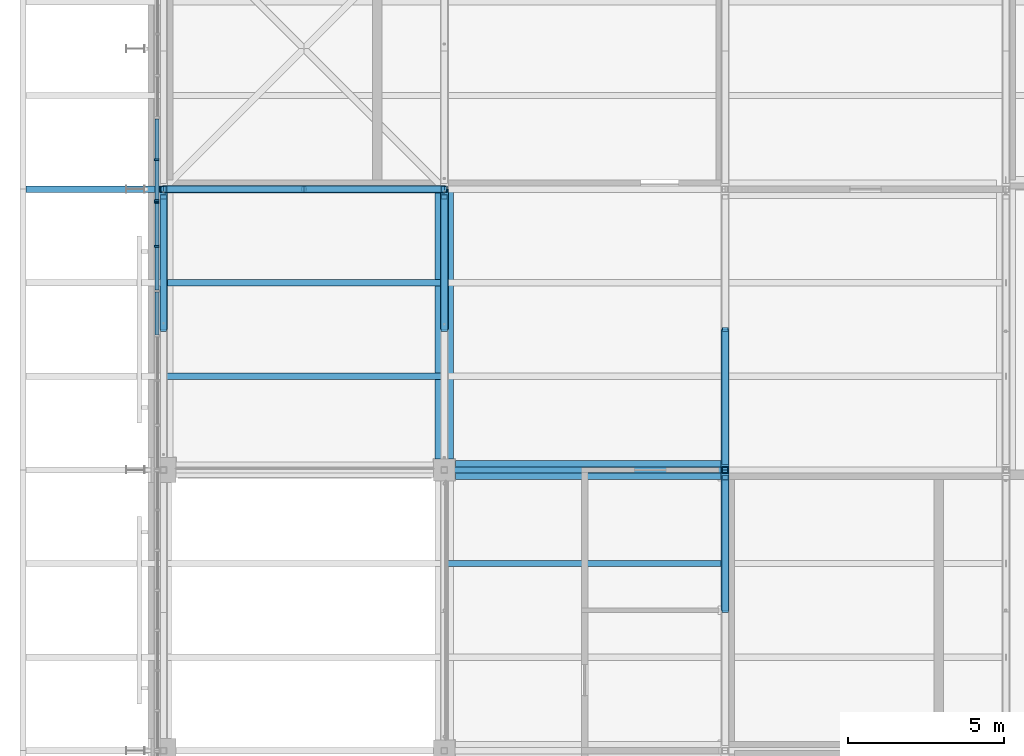
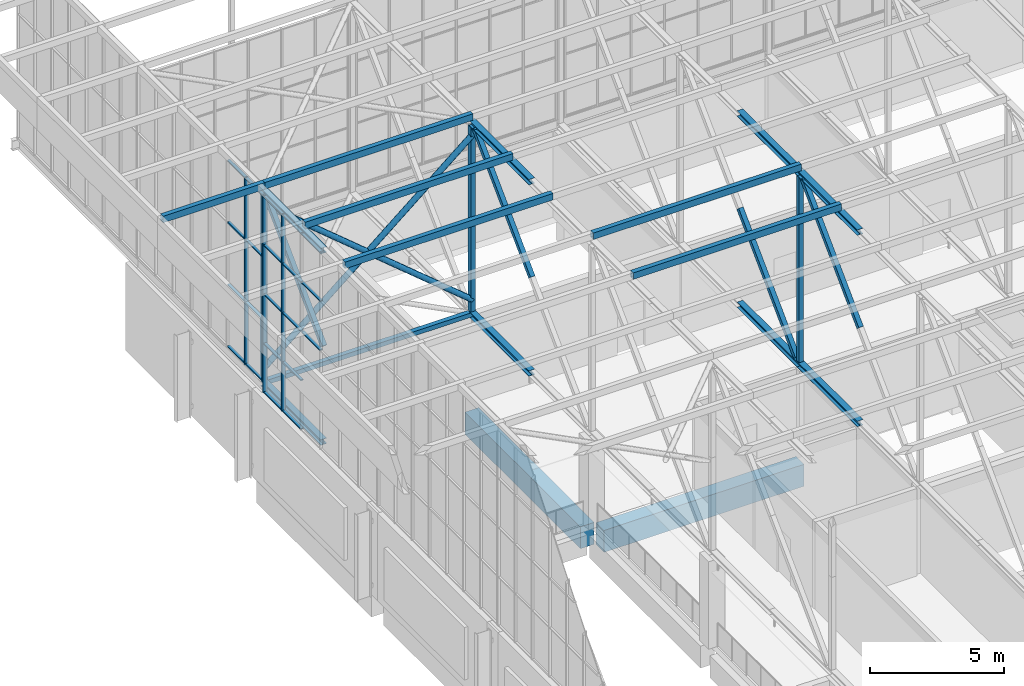
# One storey, part 63 of 646: 55 members, 2 beams, 2 elements without a shape of their own.
"""IFC4 building model written with IfcOpenShell, lengths in metres."""

from ifc_helpers import new_model, si_unit, direction, frame, origin, origin_2d, place, context, subcontext, project, spatial, rectangle, hollow_rectangle, hollow_circle, i_section, extrude, material, material_profile, profile_set, type_object, element, aggregate, save


model = new_model("IFC4")

# Units and contexts
model_context = context("Model", 3, precision=1e-05, world=origin(), true_north=direction((0.0, 1.0)))
body_context = subcontext(model_context, "Body", "Model", "MODEL_VIEW")
ifc_project = project(units=[si_unit("LENGTHUNIT", "METRE"), si_unit("AREAUNIT", "SQUARE_METRE"), si_unit("VOLUMEUNIT", "CUBIC_METRE"), si_unit("PLANEANGLEUNIT", "RADIAN"), si_unit("MASSUNIT", "GRAM", prefix="KILO")], contexts=[model_context])

# Site, building, storey
site_placement = place(None, origin())
site = spatial("IfcSite", under=ifc_project, at=site_placement, CompositionType="ELEMENT")
building_placement = place(site_placement, origin())
building = spatial("IfcBuilding", under=site, at=building_placement, Name="Silverbay Arena", CompositionType="ELEMENT")
storey_placement = place(building_placement, frame((0.0, 0.0, 33.5)))
storey = spatial("IfcBuildingStorey", under=building, at=storey_placement, Name="L05", CompositionType="ELEMENT", Elevation=33.5)

# Members
ifc_material_1 = material(Name="Steel S355", Category="steel")
ifc_material_profile_1 = material_profile(ifc_material_1, hollow_rectangle(XDim=0.199951171875, YDim=0.199951171875, WallThickness=0.008056640625, at=origin_2d()), Name="SHS 200x200x8")
ifc_profile_set_1 = profile_set([ifc_material_profile_1], Name="Steel S355")
member_type_1 = type_object("IfcMemberType", Name="Bracing strut SHS 200x200x8", PredefinedType="STRUT", material=ifc_profile_set_1)
for number, where, z_axis, x_axis, name in (
    (1, (54.0, 135.0, 4.126953125), (1.0, 0.0, 0.0), (0.0, 1.0, 0.0), "ROOF BRACING strut 7-8 line 15a"),
    (2, (58.5, 135.0, 4.126953125), (1.0, 0.0, 0.0), (0.0, 1.0, 0.0), "ROOF BRACING strut 7-8 line 15b"),
):
    element("IfcMember", number, at=place(storey_placement, frame(where, z_axis=z_axis, x_axis=x_axis)), inside=storey, type_object=member_type_1, Name=name, PredefinedType="STRUT", context=body_context, shape_type="SweptSolid", body=[
        extrude(hollow_rectangle(XDim=0.199951171875, YDim=0.199951171875, WallThickness=0.008056640625, at=origin_2d()), origin(), (0.0, 0.0, 1.0), 4.5),
    ])
ifc_material_2 = material(Name="Steel S355", Category="steel")
ifc_material_profile_2 = material_profile(ifc_material_2, i_section(OverallWidth=0.254638671875, OverallDepth=0.254150390625, WebThickness=0.008544921875, FlangeThickness=0.01416015625, at=origin_2d()), Name="UC 254x254x73")
ifc_profile_set_2 = profile_set([ifc_material_profile_2], Name="Steel S355")
member_type_2 = type_object("IfcMemberType", Name="Medium-span bottom chord UC 254x254x73", PredefinedType="CHORD", material=ifc_profile_set_2)
for number, where, z_axis, x_axis, name in (
    (3, (72.0, 121.5, 4.126953125), (0.0, 1.0, 0.0), (-1.0, 0.0, 0.0), "ROOF TRUSS 9 bottom chord 13b"),
    (4, (72.0, 126.0, 4.126953125), (0.0, 1.0, 0.0), (-1.0, 0.0, 0.0), "ROOF TRUSS 9 bottom chord 14a"),
):
    element("IfcMember", number, at=place(storey_placement, frame(where, z_axis=z_axis, x_axis=x_axis)), inside=storey, type_object=member_type_2, Name=name, PredefinedType="CHORD", context=body_context, shape_type="SweptSolid", body=[
        extrude(i_section(OverallWidth=0.254638671875, OverallDepth=0.254150390625, WebThickness=0.008544921875, FlangeThickness=0.01416015625, at=origin_2d()), origin(), (0.0, 0.0, 1.0), 4.5),
    ])
ifc_material_3 = material(Name="Steel S355", Category="steel")
ifc_material_profile_3 = material_profile(ifc_material_3, i_section(OverallWidth=0.254638671875, OverallDepth=0.254150390625, WebThickness=0.008544921875, FlangeThickness=0.01416015625, at=origin_2d()), Name="UC 254x254x73")
ifc_profile_set_3 = profile_set([ifc_material_profile_3], Name="Steel S355")
member_type_3 = type_object("IfcMemberType", Name="Medium-span top chord UC 254x254x73", PredefinedType="CHORD", material=ifc_profile_set_3)
for number, where, z_axis, x_axis, name in (
    (5, (72.0, 121.5, 12.873046875), (0.0, 1.0, 0.0), (-1.0, 0.0, 0.0), "ROOF TRUSS 9 top chord 13b"),
    (6, (72.0, 126.0, 12.873046875), (0.0, 1.0, 0.0), (-1.0, 0.0, 0.0), "ROOF TRUSS 9 top chord 14a"),
):
    element("IfcMember", number, at=place(storey_placement, frame(where, z_axis=z_axis, x_axis=x_axis)), inside=storey, type_object=member_type_3, Name=name, PredefinedType="CHORD", context=body_context, shape_type="SweptSolid", body=[
        extrude(i_section(OverallWidth=0.254638671875, OverallDepth=0.254150390625, WebThickness=0.008544921875, FlangeThickness=0.01416015625, at=origin_2d()), origin(), (0.0, 0.0, 1.0), 4.5),
    ])
ifc_material_4 = material(Name="Steel S355", Category="steel")
ifc_material_profile_4 = material_profile(ifc_material_4, hollow_rectangle(XDim=0.199951171875, YDim=0.199951171875, WallThickness=0.008056640625, at=origin_2d()), Name="SHS 200x200x8")
ifc_profile_set_4 = profile_set([ifc_material_profile_4], Name="Steel S355")
member_type_4 = type_object("IfcMemberType", Name="Medium-span truss diagonal SHS 200x200x8", PredefinedType="BRACE", material=ifc_profile_set_4)
for number, where, z_axis, x_axis, name in (
    (7, (72.0, 125.75439453125, 12.745849609375), (0.0, -0.70781724692, -0.706395600894), (1.0, 0.0, 0.0), "ROOF TRUSS 9 diagonal 13a"),
    (8, (72.0, 130.5, 8.5), (0.0, -0.70781724692, -0.706395600894), (1.0, 0.0, 0.0), "ROOF TRUSS 9 diagonal 14b"),
):
    element("IfcMember", number, at=place(storey_placement, frame(where, z_axis=z_axis, x_axis=x_axis)), inside=storey, type_object=member_type_4, Name=name, PredefinedType="BRACE", context=body_context, shape_type="SweptSolid", body=[
        extrude(hollow_rectangle(XDim=0.199951171875, YDim=0.199951171875, WallThickness=0.008056640625, at=origin_2d()), origin(), (0.0, 0.0, 1.0), 6.010498046875),
    ])
ifc_material_5 = material(Name="Steel S355", Category="steel")
ifc_material_profile_5 = material_profile(ifc_material_5, hollow_rectangle(XDim=0.199951171875, YDim=0.199951171875, WallThickness=0.008056640625, at=origin_2d()), Name="SHS 200x200x8")
ifc_profile_set_5 = profile_set([ifc_material_profile_5], Name="Steel S355")
member_type_5 = type_object("IfcMemberType", Name="Medium-span truss vertical SHS 200x200x8", PredefinedType="STRUT", material=ifc_profile_set_5)
for number, where, z_axis, x_axis, name in (
    (9, (72.0, 126.0, 4.254150390625), (0.0, 0.0, 1.0), (1.0, 0.0, 0.0), "ROOF TRUSS 9 vertical 14a"),
    (10, (72.0, 126.0, 8.5), (0.0, 0.0, 1.0), (1.0, 0.0, 0.0), "ROOF TRUSS 9 vertical 14b"),
):
    element("IfcMember", number, at=place(storey_placement, frame(where, z_axis=z_axis, x_axis=x_axis)), inside=storey, type_object=member_type_5, Name=name, PredefinedType="STRUT", context=body_context, shape_type="SweptSolid", body=[
        extrude(hollow_rectangle(XDim=0.199951171875, YDim=0.199951171875, WallThickness=0.008056640625, at=origin_2d()), origin(), (0.0, 0.0, 1.0), 4.245849609375),
    ])

# Curtain wall, members
ifc_material_6 = material(Name="Aluminium framed glazing", Category="aluminium")
curtain_wall_type_1 = type_object("IfcCurtainWallType", Name="Curtain wall clerestory 8600 x 9000", PredefinedType="NOTDEFINED", material=ifc_material_6)
curtain_wall_1_placement = place(storey_placement, origin())
curtain_wall_1 = element("IfcCurtainWall", 11, at=curtain_wall_1_placement, inside=storey, type_object=curtain_wall_type_1, Name="ROOF GABLE CLERESTORY CURTAIN WALL west bay 14", PredefinedType="NOTDEFINED")
ifc_material_7 = material(Name="Aluminium", Category="aluminium")
ifc_material_profile_6 = material_profile(ifc_material_7, rectangle(XDim=0.159912109375, YDim=0.06005859375, at=origin_2d()), Name="Mullion 60 x 160")
ifc_profile_set_6 = profile_set([ifc_material_profile_6], Name="Aluminium")
member_type_6 = type_object("IfcMemberType", Name="Mullion 60 x 160", PredefinedType="MULLION", material=ifc_profile_set_6)
member_1_placement = place(storey_placement, frame((53.7900390625, 133.166748046875, 4.0), z_axis=(0.0, 0.0, 1.0), x_axis=(-1.0, 0.0, 0.0)))
member_1 = element("IfcMember", 12, at=member_1_placement, type_object=member_type_6, Name="CW59 mullion 6", PredefinedType="MULLION", context=body_context, shape_type="SweptSolid", body=[
    extrude(rectangle(XDim=0.159912109375, YDim=0.06005859375, at=origin_2d()), origin(), (0.0, 0.0, 1.0), 9.0),
])
member_2_placement = place(storey_placement, frame((53.7900390625, 134.570068359375, 4.0), z_axis=(0.0, 0.0, 1.0), x_axis=(-1.0, 0.0, 0.0)))
member_2 = element("IfcMember", 13, at=member_2_placement, type_object=member_type_6, Name="CW59 mullion 7", PredefinedType="MULLION", context=body_context, shape_type="SweptSolid", body=[
    extrude(rectangle(XDim=0.159912109375, YDim=0.06005859375, at=origin_2d()), origin(), (0.0, 0.0, 1.0), 9.0),
])

ifc_material_8 = material(Name="Aluminium framed glazing", Category="aluminium")
curtain_wall_type_2 = type_object("IfcCurtainWallType", Name="Curtain wall clerestory 9400 x 8547", PredefinedType="NOTDEFINED", material=ifc_material_8)
curtain_wall_2_placement = place(storey_placement, origin())
curtain_wall_2 = element("IfcCurtainWall", 14, at=curtain_wall_2_placement, inside=storey, type_object=curtain_wall_type_2, Name="ROOF GABLE CLERESTORY CURTAIN WALL west bay 15", PredefinedType="NOTDEFINED")
member_3_placement = place(storey_placement, frame((53.7900390625, 134.6298828125, 4.453369140625), z_axis=(0.0, 0.0, 1.0), x_axis=(-1.0, 0.0, 0.0)))
member_3 = element("IfcMember", 15, at=member_3_placement, type_object=member_type_6, Name="CW58 mullion 1", PredefinedType="MULLION", context=body_context, shape_type="SweptSolid", body=[
    extrude(rectangle(XDim=0.159912109375, YDim=0.06005859375, at=origin_2d()), origin(), (0.0, 0.0, 1.0), 8.546630859375),
])
member_4_placement = place(storey_placement, frame((53.7900390625, 135.94287109375, 4.453369140625), z_axis=(0.0, 0.0, 1.0), x_axis=(-1.0, 0.0, 0.0)))
member_4 = element("IfcMember", 16, at=member_4_placement, type_object=member_type_6, Name="CW58 mullion 2", PredefinedType="MULLION", context=body_context, shape_type="SweptSolid", body=[
    extrude(rectangle(XDim=0.159912109375, YDim=0.06005859375, at=origin_2d()), origin(), (0.0, 0.0, 1.0), 8.546630859375),
])

# Members
ifc_material_9 = material(Name="Steel S355", Category="steel")
ifc_material_profile_7 = material_profile(ifc_material_9, hollow_rectangle(XDim=0.199951171875, YDim=0.300048828125, WallThickness=0.00634765625, at=origin_2d()), Name="RHS 300x200x6.3")
ifc_profile_set_7 = profile_set([ifc_material_profile_7], Name="Steel S355")
member_type_7 = type_object("IfcMemberType", Name="Purlin RHS 300x200x6.3", PredefinedType="PURLIN", material=ifc_profile_set_7)
for number, where, z_axis, x_axis, name in (
    (17, (63.0, 123.0, 13.14990234375), (1.0, 0.0, 0.0), (0.0, 1.0, 0.0), "ROOF PURLIN 8-9 line 39"),
    (18, (63.0, 126.0, 13.14990234375), (1.0, 0.0, 0.0), (0.0, 1.0, 0.0), "ROOF PURLIN 8-9 line 40"),
):
    element("IfcMember", number, at=place(storey_placement, frame(where, z_axis=z_axis, x_axis=x_axis)), inside=storey, type_object=member_type_7, Name=name, PredefinedType="PURLIN", context=body_context, shape_type="SweptSolid", body=[
        extrude(hollow_rectangle(XDim=0.199951171875, YDim=0.300048828125, WallThickness=0.00634765625, at=origin_2d()), origin(), (0.0, 0.0, 1.0), 9.0),
    ])
ifc_material_10 = material(Name="Steel S355", Category="steel")
ifc_material_profile_8 = material_profile(ifc_material_10, hollow_rectangle(XDim=0.199951171875, YDim=0.300048828125, WallThickness=0.008056640625, at=origin_2d()), Name="RHS 300x200x8")
ifc_profile_set_8 = profile_set([ifc_material_profile_8], Name="Steel S355")
member_type_8 = type_object("IfcMemberType", Name="Purlin RHS 300x200x8", PredefinedType="PURLIN", material=ifc_profile_set_8)
for number, where, z_axis, x_axis, name in (
    (19, (54.0, 129.0, 13.14990234375), (1.0, 0.0, 0.0), (0.0, 1.0, 0.0), "ROOF PURLIN 7-8 line 41"),
    (20, (54.0, 132.0, 13.14990234375), (1.0, 0.0, 0.0), (0.0, 1.0, 0.0), "ROOF PURLIN 7-8 line 42"),
    (21, (54.0, 135.0, 13.14990234375), (1.0, 0.0, 0.0), (0.0, 1.0, 0.0), "ROOF PURLIN 7-8 line 43"),
):
    element("IfcMember", number, at=place(storey_placement, frame(where, z_axis=z_axis, x_axis=x_axis)), inside=storey, type_object=member_type_8, Name=name, PredefinedType="PURLIN", context=body_context, shape_type="SweptSolid", body=[
        extrude(hollow_rectangle(XDim=0.199951171875, YDim=0.300048828125, WallThickness=0.008056640625, at=origin_2d()), origin(), (0.0, 0.0, 1.0), 9.0),
    ])
member_5_placement = place(storey_placement, frame((49.60009765625, 135.0, 13.14990234375), z_axis=(1.0, 0.0, 0.0), x_axis=(0.0, 1.0, 0.0)))
element("IfcMember", 22, at=member_5_placement, inside=storey, type_object=member_type_8, Name="ROOF PURLIN west eave line 43", PredefinedType="PURLIN", context=body_context, shape_type="SweptSolid", body=[
    extrude(hollow_rectangle(XDim=0.199951171875, YDim=0.300048828125, WallThickness=0.008056640625, at=origin_2d()), origin(), (0.0, 0.0, 1.0), 4.39990234375),
])

# Beams
ifc_material_11 = material(Name="Concrete Grade C45", Category="concrete")
ifc_material_profile_9 = material_profile(ifc_material_11, rectangle(XDim=0.60009765625, YDim=1.0, at=origin_2d()), Name="RC 600x1000")
ifc_profile_set_9 = profile_set([ifc_material_profile_9], Name="Concrete Grade C45")
beam_type = type_object("IfcBeamType", Name="RC beam 600x1000", PredefinedType="BEAM", material=ifc_profile_set_9)
for number, where, z_axis, x_axis, name in (
    (23, (63.35009765625, 126.0, -0.800048828125), (1.0, 0.0, 0.0), (0.0, 1.0, 0.0), "Floor beam L05 058"),
    (24, (63.0, 126.35009765625, -0.800048828125), (0.0, 1.0, 0.0), (-1.0, 0.0, 0.0), "Floor beam L05 086"),
):
    element("IfcBeam", number, at=place(storey_placement, frame(where, z_axis=z_axis, x_axis=x_axis)), inside=storey, type_object=beam_type, Name=name, PredefinedType="BEAM", context=body_context, shape_type="SweptSolid", body=[
        extrude(rectangle(XDim=0.60009765625, YDim=1.0, at=origin_2d()), origin(), (0.0, 0.0, 1.0), 8.64990234375),
    ])

# Members
ifc_material_12 = material(Name="Steel S355", Category="steel")
ifc_material_profile_10 = material_profile(ifc_material_12, i_section(OverallWidth=0.254638671875, OverallDepth=0.254150390625, WebThickness=0.008544921875, FlangeThickness=0.01416015625, at=origin_2d()), Name="UC 254x254x73")
ifc_profile_set_10 = profile_set([ifc_material_profile_10], Name="Steel S355")
member_type_9 = type_object("IfcMemberType", Name="Short-span bottom chord UC 254x254x73", PredefinedType="CHORD", material=ifc_profile_set_10)
for number, where, z_axis, x_axis, name in (
    (25, (54.0, 130.5, 4.126953125), (0.0, 1.0, 0.0), (-1.0, 0.0, 0.0), "ROOF TRUSS 7 bottom chord 14b"),
    (26, (63.0, 130.5, 4.126953125), (0.0, 1.0, 0.0), (-1.0, 0.0, 0.0), "ROOF TRUSS 8 bottom chord 14b"),
):
    element("IfcMember", number, at=place(storey_placement, frame(where, z_axis=z_axis, x_axis=x_axis)), inside=storey, type_object=member_type_9, Name=name, PredefinedType="CHORD", context=body_context, shape_type="SweptSolid", body=[
        extrude(i_section(OverallWidth=0.254638671875, OverallDepth=0.254150390625, WebThickness=0.008544921875, FlangeThickness=0.01416015625, at=origin_2d()), origin(), (0.0, 0.0, 1.0), 4.5),
    ])
ifc_material_13 = material(Name="Steel S355", Category="steel")
ifc_material_profile_11 = material_profile(ifc_material_13, i_section(OverallWidth=0.254638671875, OverallDepth=0.254150390625, WebThickness=0.008544921875, FlangeThickness=0.01416015625, at=origin_2d()), Name="UC 254x254x73")
ifc_profile_set_11 = profile_set([ifc_material_profile_11], Name="Steel S355")
member_type_10 = type_object("IfcMemberType", Name="Short-span top chord UC 254x254x73", PredefinedType="CHORD", material=ifc_profile_set_11)
for number, where, z_axis, x_axis, name in (
    (27, (54.0, 130.5, 12.873046875), (0.0, 1.0, 0.0), (-1.0, 0.0, 0.0), "ROOF TRUSS 7 top chord 14b"),
    (28, (63.0, 130.5, 12.873046875), (0.0, 1.0, 0.0), (-1.0, 0.0, 0.0), "ROOF TRUSS 8 top chord 14b"),
):
    element("IfcMember", number, at=place(storey_placement, frame(where, z_axis=z_axis, x_axis=x_axis)), inside=storey, type_object=member_type_10, Name=name, PredefinedType="CHORD", context=body_context, shape_type="SweptSolid", body=[
        extrude(i_section(OverallWidth=0.254638671875, OverallDepth=0.254150390625, WebThickness=0.008544921875, FlangeThickness=0.01416015625, at=origin_2d()), origin(), (0.0, 0.0, 1.0), 4.5),
    ])
ifc_material_14 = material(Name="Steel S355", Category="steel")
ifc_material_profile_12 = material_profile(ifc_material_14, hollow_rectangle(XDim=0.199951171875, YDim=0.199951171875, WallThickness=0.008056640625, at=origin_2d()), Name="SHS 200x200x8")
ifc_profile_set_12 = profile_set([ifc_material_profile_12], Name="Steel S355")
member_type_11 = type_object("IfcMemberType", Name="Short-span truss diagonal SHS 200x200x8", PredefinedType="BRACE", material=ifc_profile_set_12)
for number, where, z_axis, x_axis, name in (
    (29, (54.0, 134.75439453125, 12.745849609375), (0.0, -0.70781724692, -0.706395600894), (1.0, 0.0, 0.0), "ROOF TRUSS 7 diagonal 14a"),
    (30, (63.0, 134.75439453125, 12.745849609375), (0.0, -0.70781724692, -0.706395600894), (1.0, 0.0, 0.0), "ROOF TRUSS 8 diagonal 14a"),
):
    element("IfcMember", number, at=place(storey_placement, frame(where, z_axis=z_axis, x_axis=x_axis)), inside=storey, type_object=member_type_11, Name=name, PredefinedType="BRACE", context=body_context, shape_type="SweptSolid", body=[
        extrude(hollow_rectangle(XDim=0.199951171875, YDim=0.199951171875, WallThickness=0.008056640625, at=origin_2d()), origin(), (0.0, 0.0, 1.0), 6.010498046875),
    ])
ifc_material_15 = material(Name="Steel S355", Category="steel")
ifc_material_profile_13 = material_profile(ifc_material_15, hollow_rectangle(XDim=0.199951171875, YDim=0.199951171875, WallThickness=0.008056640625, at=origin_2d()), Name="SHS 200x200x8")
ifc_profile_set_13 = profile_set([ifc_material_profile_13], Name="Steel S355")
member_type_12 = type_object("IfcMemberType", Name="Short-span truss vertical SHS 200x200x8", PredefinedType="STRUT", material=ifc_profile_set_13)
for number, where, z_axis, x_axis, name in (
    (31, (54.0, 135.0, 4.254150390625), (0.0, 0.0, 1.0), (1.0, 0.0, 0.0), "ROOF TRUSS 7 vertical 15a"),
    (32, (54.0, 135.0, 8.5), (0.0, 0.0, 1.0), (1.0, 0.0, 0.0), "ROOF TRUSS 7 vertical 15b"),
    (33, (63.0, 135.0, 4.254150390625), (0.0, 0.0, 1.0), (1.0, 0.0, 0.0), "ROOF TRUSS 8 vertical 15a"),
    (34, (63.0, 135.0, 8.5), (0.0, 0.0, 1.0), (1.0, 0.0, 0.0), "ROOF TRUSS 8 vertical 15b"),
):
    element("IfcMember", number, at=place(storey_placement, frame(where, z_axis=z_axis, x_axis=x_axis)), inside=storey, type_object=member_type_12, Name=name, PredefinedType="STRUT", context=body_context, shape_type="SweptSolid", body=[
        extrude(hollow_rectangle(XDim=0.199951171875, YDim=0.199951171875, WallThickness=0.008056640625, at=origin_2d()), origin(), (0.0, 0.0, 1.0), 4.245849609375),
    ])

# Member
ifc_material_16 = material(Name="Aluminium", Category="aluminium")
ifc_material_profile_14 = material_profile(ifc_material_16, rectangle(XDim=0.1201171875, YDim=0.050048828125, at=origin_2d()), Name="Transom 50 x 120")
ifc_profile_set_14 = profile_set([ifc_material_profile_14], Name="Aluminium")
member_type_13 = type_object("IfcMemberType", Name="Transom 50 x 120", PredefinedType="USERDEFINED", material=ifc_profile_set_14)
member_6_placement = place(storey_placement, frame((53.7900390625, 130.330078125, 8.5), z_axis=(0.0, 1.0, 0.0), x_axis=(-1.0, 0.0, 0.0)))
member_6 = element("IfcMember", 35, at=member_6_placement, type_object=member_type_13, Name="CW59 transom 4.3", ObjectType="TRANSOM", PredefinedType="USERDEFINED", context=body_context, shape_type="SweptSolid", body=[
    extrude(rectangle(XDim=0.1201171875, YDim=0.050048828125, at=origin_2d()), origin(), (0.0, 0.0, 1.0), 1.373291015625),
])

member_7_placement = place(storey_placement, frame((53.7900390625, 130.330078125, 10.75), z_axis=(0.0, 1.0, 0.0), x_axis=(-1.0, 0.0, 0.0)))
member_7 = element("IfcMember", 36, at=member_7_placement, type_object=member_type_13, Name="CW59 transom 4.4", ObjectType="TRANSOM", PredefinedType="USERDEFINED", context=body_context, shape_type="SweptSolid", body=[
    extrude(rectangle(XDim=0.1201171875, YDim=0.050048828125, at=origin_2d()), origin(), (0.0, 0.0, 1.0), 1.373291015625),
])

member_8_placement = place(storey_placement, frame((53.7900390625, 130.330078125, 12.97509765625), z_axis=(0.0, 1.0, 0.0), x_axis=(-1.0, 0.0, 0.0)))
member_8 = element("IfcMember", 37, at=member_8_placement, type_object=member_type_13, Name="CW59 transom 4.5", ObjectType="TRANSOM", PredefinedType="USERDEFINED", context=body_context, shape_type="SweptSolid", body=[
    extrude(rectangle(XDim=0.1201171875, YDim=0.050048828125, at=origin_2d()), origin(), (0.0, 0.0, 1.0), 1.373291015625),
])

member_9_placement = place(storey_placement, frame((53.7900390625, 131.763427734375, 4.02490234375), z_axis=(0.0, 1.0, 0.0), x_axis=(-1.0, 0.0, 0.0)))
member_9 = element("IfcMember", 38, at=member_9_placement, type_object=member_type_13, Name="CW59 transom 5.1", ObjectType="TRANSOM", PredefinedType="USERDEFINED", context=body_context, shape_type="SweptSolid", body=[
    extrude(rectangle(XDim=0.1201171875, YDim=0.050048828125, at=origin_2d()), origin(), (0.0, 0.0, 1.0), 1.373291015625),
])

member_10_placement = place(storey_placement, frame((53.7900390625, 131.763427734375, 6.25), z_axis=(0.0, 1.0, 0.0), x_axis=(-1.0, 0.0, 0.0)))
member_10 = element("IfcMember", 39, at=member_10_placement, type_object=member_type_13, Name="CW59 transom 5.2", ObjectType="TRANSOM", PredefinedType="USERDEFINED", context=body_context, shape_type="SweptSolid", body=[
    extrude(rectangle(XDim=0.1201171875, YDim=0.050048828125, at=origin_2d()), origin(), (0.0, 0.0, 1.0), 1.373291015625),
])

member_11_placement = place(storey_placement, frame((53.7900390625, 131.763427734375, 8.5), z_axis=(0.0, 1.0, 0.0), x_axis=(-1.0, 0.0, 0.0)))
member_11 = element("IfcMember", 40, at=member_11_placement, type_object=member_type_13, Name="CW59 transom 5.3", ObjectType="TRANSOM", PredefinedType="USERDEFINED", context=body_context, shape_type="SweptSolid", body=[
    extrude(rectangle(XDim=0.1201171875, YDim=0.050048828125, at=origin_2d()), origin(), (0.0, 0.0, 1.0), 1.373291015625),
])

member_12_placement = place(storey_placement, frame((53.7900390625, 131.763427734375, 10.75), z_axis=(0.0, 1.0, 0.0), x_axis=(-1.0, 0.0, 0.0)))
member_12 = element("IfcMember", 41, at=member_12_placement, type_object=member_type_13, Name="CW59 transom 5.4", ObjectType="TRANSOM", PredefinedType="USERDEFINED", context=body_context, shape_type="SweptSolid", body=[
    extrude(rectangle(XDim=0.1201171875, YDim=0.050048828125, at=origin_2d()), origin(), (0.0, 0.0, 1.0), 1.373291015625),
])

member_13_placement = place(storey_placement, frame((53.7900390625, 131.763427734375, 12.97509765625), z_axis=(0.0, 1.0, 0.0), x_axis=(-1.0, 0.0, 0.0)))
member_13 = element("IfcMember", 42, at=member_13_placement, type_object=member_type_13, Name="CW59 transom 5.5", ObjectType="TRANSOM", PredefinedType="USERDEFINED", context=body_context, shape_type="SweptSolid", body=[
    extrude(rectangle(XDim=0.1201171875, YDim=0.050048828125, at=origin_2d()), origin(), (0.0, 0.0, 1.0), 1.373291015625),
])

member_14_placement = place(storey_placement, frame((53.7900390625, 133.19677734375, 4.02490234375), z_axis=(0.0, 1.0, 0.0), x_axis=(-1.0, 0.0, 0.0)))
member_14 = element("IfcMember", 43, at=member_14_placement, type_object=member_type_13, Name="CW59 transom 6.1", ObjectType="TRANSOM", PredefinedType="USERDEFINED", context=body_context, shape_type="SweptSolid", body=[
    extrude(rectangle(XDim=0.1201171875, YDim=0.050048828125, at=origin_2d()), origin(), (0.0, 0.0, 1.0), 1.34326171875),
])

member_15_placement = place(storey_placement, frame((53.7900390625, 133.19677734375, 6.25), z_axis=(0.0, 1.0, 0.0), x_axis=(-1.0, 0.0, 0.0)))
member_15 = element("IfcMember", 44, at=member_15_placement, type_object=member_type_13, Name="CW59 transom 6.2", ObjectType="TRANSOM", PredefinedType="USERDEFINED", context=body_context, shape_type="SweptSolid", body=[
    extrude(rectangle(XDim=0.1201171875, YDim=0.050048828125, at=origin_2d()), origin(), (0.0, 0.0, 1.0), 1.34326171875),
])

member_16_placement = place(storey_placement, frame((53.7900390625, 133.19677734375, 8.5), z_axis=(0.0, 1.0, 0.0), x_axis=(-1.0, 0.0, 0.0)))
member_16 = element("IfcMember", 45, at=member_16_placement, type_object=member_type_13, Name="CW59 transom 6.3", ObjectType="TRANSOM", PredefinedType="USERDEFINED", context=body_context, shape_type="SweptSolid", body=[
    extrude(rectangle(XDim=0.1201171875, YDim=0.050048828125, at=origin_2d()), origin(), (0.0, 0.0, 1.0), 1.34326171875),
])

member_17_placement = place(storey_placement, frame((53.7900390625, 133.19677734375, 10.75), z_axis=(0.0, 1.0, 0.0), x_axis=(-1.0, 0.0, 0.0)))
member_17 = element("IfcMember", 46, at=member_17_placement, type_object=member_type_13, Name="CW59 transom 6.4", ObjectType="TRANSOM", PredefinedType="USERDEFINED", context=body_context, shape_type="SweptSolid", body=[
    extrude(rectangle(XDim=0.1201171875, YDim=0.050048828125, at=origin_2d()), origin(), (0.0, 0.0, 1.0), 1.34326171875),
])

member_18_placement = place(storey_placement, frame((53.7900390625, 133.19677734375, 12.97509765625), z_axis=(0.0, 1.0, 0.0), x_axis=(-1.0, 0.0, 0.0)))
member_18 = element("IfcMember", 47, at=member_18_placement, type_object=member_type_13, Name="CW59 transom 6.5", ObjectType="TRANSOM", PredefinedType="USERDEFINED", context=body_context, shape_type="SweptSolid", body=[
    extrude(rectangle(XDim=0.1201171875, YDim=0.050048828125, at=origin_2d()), origin(), (0.0, 0.0, 1.0), 1.34326171875),
])

aggregate(curtain_wall_1, [member_1, member_2, member_6, member_7, member_8, member_9, member_10, member_11, member_12, member_13, member_14, member_15, member_16, member_17, member_18])

member_19_placement = place(storey_placement, frame((53.7900390625, 134.659912109375, 4.478515625), z_axis=(0.0, 1.0, 0.0), x_axis=(-1.0, 0.0, 0.0)))
member_19 = element("IfcMember", 48, at=member_19_placement, type_object=member_type_13, Name="CW58 transom 1.1", ObjectType="TRANSOM", PredefinedType="USERDEFINED", context=body_context, shape_type="SweptSolid", body=[
    extrude(rectangle(XDim=0.1201171875, YDim=0.050048828125, at=origin_2d()), origin(), (0.0, 0.0, 1.0), 1.2529296875),
])

member_20_placement = place(storey_placement, frame((53.7900390625, 134.659912109375, 7.30224609375), z_axis=(0.0, 1.0, 0.0), x_axis=(-1.0, 0.0, 0.0)))
member_20 = element("IfcMember", 49, at=member_20_placement, type_object=member_type_13, Name="CW58 transom 1.2", ObjectType="TRANSOM", PredefinedType="USERDEFINED", context=body_context, shape_type="SweptSolid", body=[
    extrude(rectangle(XDim=0.1201171875, YDim=0.050048828125, at=origin_2d()), origin(), (0.0, 0.0, 1.0), 1.2529296875),
])

member_21_placement = place(storey_placement, frame((53.7900390625, 134.659912109375, 10.151123046875), z_axis=(0.0, 1.0, 0.0), x_axis=(-1.0, 0.0, 0.0)))
member_21 = element("IfcMember", 50, at=member_21_placement, type_object=member_type_13, Name="CW58 transom 1.3", ObjectType="TRANSOM", PredefinedType="USERDEFINED", context=body_context, shape_type="SweptSolid", body=[
    extrude(rectangle(XDim=0.1201171875, YDim=0.050048828125, at=origin_2d()), origin(), (0.0, 0.0, 1.0), 1.2529296875),
])

member_22_placement = place(storey_placement, frame((53.7900390625, 134.659912109375, 12.97509765625), z_axis=(0.0, 1.0, 0.0), x_axis=(-1.0, 0.0, 0.0)))
member_22 = element("IfcMember", 51, at=member_22_placement, type_object=member_type_13, Name="CW58 transom 1.4", ObjectType="TRANSOM", PredefinedType="USERDEFINED", context=body_context, shape_type="SweptSolid", body=[
    extrude(rectangle(XDim=0.1201171875, YDim=0.050048828125, at=origin_2d()), origin(), (0.0, 0.0, 1.0), 1.2529296875),
])

member_23_placement = place(storey_placement, frame((53.7900390625, 135.972900390625, 4.478515625), z_axis=(0.0, 1.0, 0.0), x_axis=(-1.0, 0.0, 0.0)))
member_23 = element("IfcMember", 52, at=member_23_placement, type_object=member_type_13, Name="CW58 transom 2.1", ObjectType="TRANSOM", PredefinedType="USERDEFINED", context=body_context, shape_type="SweptSolid", body=[
    extrude(rectangle(XDim=0.1201171875, YDim=0.050048828125, at=origin_2d()), origin(), (0.0, 0.0, 1.0), 1.28271484375),
])

member_24_placement = place(storey_placement, frame((53.7900390625, 135.972900390625, 7.30224609375), z_axis=(0.0, 1.0, 0.0), x_axis=(-1.0, 0.0, 0.0)))
member_24 = element("IfcMember", 53, at=member_24_placement, type_object=member_type_13, Name="CW58 transom 2.2", ObjectType="TRANSOM", PredefinedType="USERDEFINED", context=body_context, shape_type="SweptSolid", body=[
    extrude(rectangle(XDim=0.1201171875, YDim=0.050048828125, at=origin_2d()), origin(), (0.0, 0.0, 1.0), 1.28271484375),
])

member_25_placement = place(storey_placement, frame((53.7900390625, 135.972900390625, 10.151123046875), z_axis=(0.0, 1.0, 0.0), x_axis=(-1.0, 0.0, 0.0)))
member_25 = element("IfcMember", 54, at=member_25_placement, type_object=member_type_13, Name="CW58 transom 2.3", ObjectType="TRANSOM", PredefinedType="USERDEFINED", context=body_context, shape_type="SweptSolid", body=[
    extrude(rectangle(XDim=0.1201171875, YDim=0.050048828125, at=origin_2d()), origin(), (0.0, 0.0, 1.0), 1.28271484375),
])

member_26_placement = place(storey_placement, frame((53.7900390625, 135.972900390625, 12.97509765625), z_axis=(0.0, 1.0, 0.0), x_axis=(-1.0, 0.0, 0.0)))
member_26 = element("IfcMember", 55, at=member_26_placement, type_object=member_type_13, Name="CW58 transom 2.4", ObjectType="TRANSOM", PredefinedType="USERDEFINED", context=body_context, shape_type="SweptSolid", body=[
    extrude(rectangle(XDim=0.1201171875, YDim=0.050048828125, at=origin_2d()), origin(), (0.0, 0.0, 1.0), 1.28271484375),
])

aggregate(curtain_wall_2, [member_3, member_4, member_19, member_20, member_21, member_22, member_23, member_24, member_25, member_26])

# Members
ifc_material_17 = material(Name="Steel S355", Category="steel")
ifc_material_profile_15 = material_profile(ifc_material_17, hollow_circle(Radius=0.122314453125, WallThickness=0.00634765625, at=origin_2d()), Name="CHS 244.5x6.3")
ifc_profile_set_15 = profile_set([ifc_material_profile_15], Name="Steel S355")
member_type_14 = type_object("IfcMemberType", Name="Vertical bracing CHS 244.5x6.3", PredefinedType="BRACE", material=ifc_profile_set_15)
for number, where, z_axis, x_axis, name in (
    (56, (54.0, 135.0, 4.754150390625), (0.768569784798, 0.0, 0.639765961814), (0.0, 1.0, 0.0), "ROOF BRACING vertical 7-8 line 15 Aa"),
    (57, (58.5, 135.0, 8.5), (0.768569784798, 0.0, 0.639765961814), (0.0, 1.0, 0.0), "ROOF BRACING vertical 7-8 line 15 Ab"),
    (58, (54.0, 135.0, 12.245849609375), (0.768569784798, 0.0, -0.639765961814), (0.0, 1.0, 0.0), "ROOF BRACING vertical 7-8 line 15 Ba"),
    (59, (58.5, 135.0, 8.5), (0.768569784798, 0.0, -0.639765961814), (0.0, 1.0, 0.0), "ROOF BRACING vertical 7-8 line 15 Bb"),
):
    element("IfcMember", number, at=place(storey_placement, frame(where, z_axis=z_axis, x_axis=x_axis)), inside=storey, type_object=member_type_14, Name=name, PredefinedType="BRACE", context=body_context, shape_type="SweptSolid", body=[
        extrude(hollow_circle(Radius=0.122314453125, WallThickness=0.00634765625, at=origin_2d()), origin(), (0.0, 0.0, 1.0), 5.85498046875),
    ])

save(model, "model.ifc")
